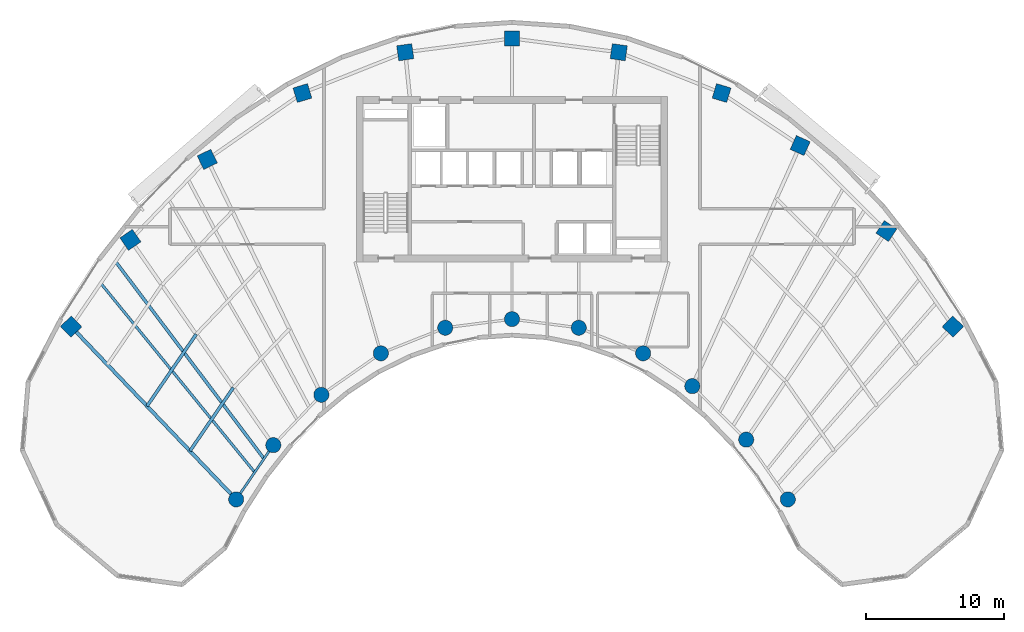
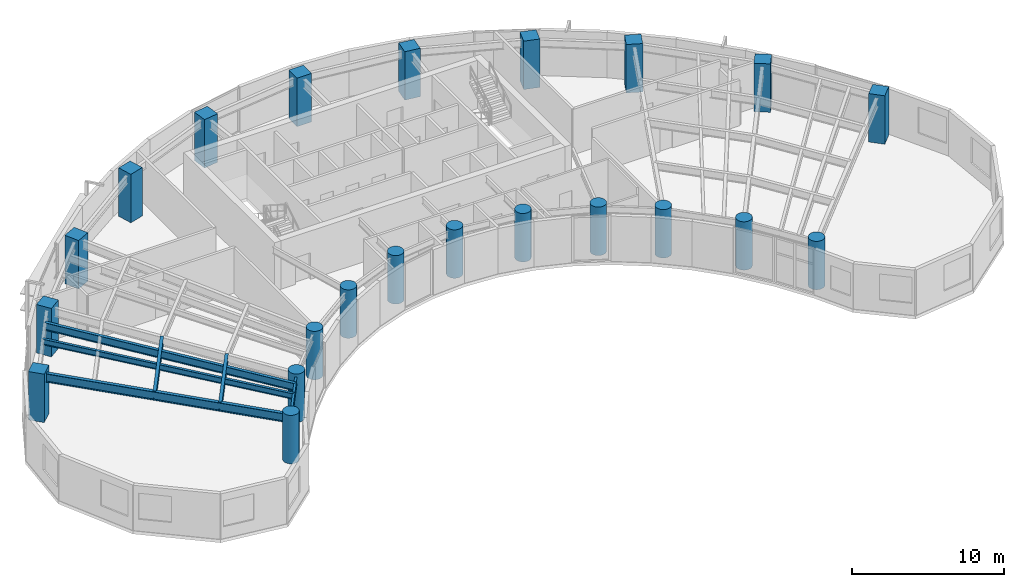
# One storey, part 1 of 13: 22 columns, 6 beams.
"""IFC4 building model written with IfcOpenShell, lengths in metres."""

from ifc_helpers import new_model, si_unit, direction, frame, origin, origin_2d, place, context, subcontext, project, spatial, rectangle, circle, i_section, extrude, source, transform, mapped, material, material_profile, profile_set, type_object, type_shapes, element, save


model = new_model("IFC4")

# Units and contexts
model_context = context("Model", 3, precision=1e-05, world=origin(), true_north=direction((0.0, 1.0)))
body_context = subcontext(model_context, "Body", "Model", "MODEL_VIEW")
ifc_project = project(units=[si_unit("LENGTHUNIT", "METRE"), si_unit("AREAUNIT", "SQUARE_METRE"), si_unit("VOLUMEUNIT", "CUBIC_METRE"), si_unit("PLANEANGLEUNIT", "RADIAN"), si_unit("MASSUNIT", "GRAM", prefix="KILO")], contexts=[model_context])

# Site, building, storey
site_placement = place(None, origin())
site = spatial("IfcSite", under=ifc_project, at=site_placement, CompositionType="ELEMENT")
building_placement = place(site_placement, origin())
building = spatial("IfcBuilding", under=site, at=building_placement, Name="Breltana Convention Tower", CompositionType="ELEMENT")
storey_placement = place(building_placement, frame((0.0, 0.0, 158.39990234375)))
storey = spatial("IfcBuildingStorey", under=building, at=storey_placement, Name="L38", CompositionType="ELEMENT", Elevation=158.39990234375)

# Columns
ifc_material_1 = material(Name="Concrete C60/75", Category="concrete")
ifc_material_profile_1 = material_profile(ifc_material_1, rectangle(XDim=1.10009765625, YDim=1.10009765625, at=origin_2d()), Name="RC-COL-1100X1100")
ifc_profile_set_1 = profile_set([ifc_material_profile_1], Name="Concrete C60/75")
column_type_1 = type_object("IfcColumnType", Name="COL-RC-1100", PredefinedType="COLUMN", material=ifc_profile_set_1)
shared_shape_1 = source(origin(), body_context, "Body", "SweptSolid", [
    extrude(rectangle(XDim=1.10009765625, YDim=1.10009765625, at=origin_2d()), origin(), (0.0, 0.0, 1.0), 3.900146484375),
])
for number, where, z_axis, x_axis, name in (
    (1, (16.0068359375, 55.494384765625, 0.0), (0.0, 0.0, 1.0), (-0.690756218984, 0.723087716626, 0.0), "L38 Tower Column R01-OUT"),
    (2, (20.310791015625, 61.78857421875, 0.0), (0.0, 0.0, 1.0), (-0.571143442153, 0.820850271661, 0.0), "L38 Tower Column R02-OUT"),
    (3, (25.8876953125, 67.626953125, 0.0), (0.0, 0.0, 1.0), (-0.436173672171, 0.899862504889, 0.0), "L38 Tower Column R03-OUT"),
    (4, (32.791015625, 72.4423828125, 0.0), (0.0, 0.0, 1.0), (-0.288697611798, 0.957420330337, 0.0), "L38 Tower Column R04-OUT"),
    (5, (40.253173828125, 75.404296875, 0.0), (0.0, 0.0, 1.0), (-0.143492621991, 0.98965138682, 0.0), "L38 Tower Column R05-OUT"),
    (6, (48.0, 76.404052734375, 0.0), (0.0, 0.0, 1.0), (0.0, 1.0, 0.0), "L38 Tower Column R06-OUT"),
    (7, (55.746826171875, 75.404296875, 0.0), (0.0, 0.0, 1.0), (0.143492621991, 0.98965138682, 0.0), "L38 Tower Column R07-OUT"),
    (8, (63.208984375, 72.4423828125, 0.0), (0.0, 0.0, 1.0), (0.288697611798, 0.957420330337, 0.0), "L38 Tower Column R08-OUT"),
    (9, (68.910400390625, 68.63330078125, 0.0), (0.0, 0.0, 1.0), (0.409126902895, 0.912477494148, 0.0), "L38 Tower Column R09-OUT"),
    (10, (75.166748046875, 62.43017578125, 0.0), (0.0, 0.0, 1.0), (0.55774510898, 0.830012285095, 0.0), "L38 Tower Column R10-OUT"),
    (11, (79.9931640625, 55.494384765625, 0.0), (0.0, 0.0, 1.0), (0.690756218984, 0.723087716626, 0.0), "L38 Tower Column R11-OUT"),
):
    element("IfcColumn", number, at=place(storey_placement, frame(where, z_axis=z_axis, x_axis=x_axis)), inside=storey, type_object=column_type_1, Name=name, PredefinedType="COLUMN", context=body_context, shape_type="MappedRepresentation", body=[
        mapped(shared_shape_1, transform((0.0, 0.0, 0.0), scale=1.0)),
    ])
ifc_material_2 = material(Name="Concrete C50/60", Category="concrete")
ifc_material_profile_2 = material_profile(ifc_material_2, circle(Radius=0.550048828125, at=origin_2d()), Name="RC-COL-D1100")
ifc_profile_set_2 = profile_set([ifc_material_profile_2], Name="Concrete C50/60")
column_type_2 = type_object("IfcColumnType", Name="COL-RC-D1100", PredefinedType="COLUMN", material=ifc_profile_set_2)
shared_shape_2 = source(origin(), body_context, "Body", "SweptSolid", [
    extrude(circle(Radius=0.550048828125, at=origin_2d()), origin(), (0.0, 0.0, 1.0), 3.900146484375),
])
for number, where, z_axis, x_axis, name in (
    (12, (27.984619140625, 42.95458984375, 0.0), (0.0, 0.0, 1.0), (-0.690756218984, 0.723087716626, 0.0), "L38 Tower Column R01-IN"),
    (13, (30.67724609375, 46.892333984375, 0.0), (0.0, 0.0, 1.0), (-0.571143442153, 0.820850271661, 0.0), "L38 Tower Column R02-IN"),
    (14, (34.166259765625, 50.544921875, 0.0), (0.0, 0.0, 1.0), (-0.436173672171, 0.899862504889, 0.0), "L38 Tower Column R03-IN"),
    (15, (38.485107421875, 53.5576171875, 0.0), (0.0, 0.0, 1.0), (-0.288697611798, 0.957420330337, 0.0), "L38 Tower Column R04-IN"),
    (16, (43.153564453125, 55.41064453125, 0.0), (0.0, 0.0, 1.0), (-0.143492621991, 0.98965138682, 0.0), "L38 Tower Column R05-IN"),
    (17, (48.0, 56.035888671875, 0.0), (0.0, 0.0, 1.0), (0.0, 1.0, 0.0), "L38 Tower Column R06-IN"),
    (18, (52.846435546875, 55.41064453125, 0.0), (0.0, 0.0, 1.0), (0.143492621991, 0.98965138682, 0.0), "L38 Tower Column R07-IN"),
    (19, (57.514892578125, 53.5576171875, 0.0), (0.0, 0.0, 1.0), (0.288697611798, 0.957420330337, 0.0), "L38 Tower Column R08-IN"),
    (20, (61.08203125, 51.174560546875, 0.0), (0.0, 0.0, 1.0), (0.409126902895, 0.912477494148, 0.0), "L38 Tower Column R09-IN"),
    (21, (64.995849609375, 47.293701171875, 0.0), (0.0, 0.0, 1.0), (0.55774510898, 0.830012285095, 0.0), "L38 Tower Column R10-IN"),
    (22, (68.015380859375, 42.95458984375, 0.0), (0.0, 0.0, 1.0), (0.690756218984, 0.723087716626, 0.0), "L38 Tower Column R11-IN"),
):
    element("IfcColumn", number, at=place(storey_placement, frame(where, z_axis=z_axis, x_axis=x_axis)), inside=storey, type_object=column_type_2, Name=name, PredefinedType="COLUMN", context=body_context, shape_type="MappedRepresentation", body=[
        mapped(shared_shape_2, transform((0.0, 0.0, 0.0), scale=1.0)),
    ])

# Beams
ifc_material_3 = material(Name="Steel ASTM A992 Grade 50", Category="steel")
ifc_material_profile_3 = material_profile(ifc_material_3, i_section(OverallWidth=0.25390625, OverallDepth=0.68798828125, WebThickness=0.01318359375, FlangeThickness=0.02099609375, at=origin_2d()), Name="W27X102")
ifc_profile_set_3 = profile_set([ifc_material_profile_3], Name="Steel ASTM A992 Grade 50")
beam_type_1 = type_object("IfcBeamType", Name="BM-RG-W27X102", PredefinedType="USERDEFINED", material=ifc_profile_set_3)
shared_shape_3 = source(origin(), body_context, "Body", "SweptSolid", [
    extrude(i_section(OverallWidth=0.25390625, OverallDepth=0.68798828125, WebThickness=0.01318359375, FlangeThickness=0.02099609375, at=origin_2d()), origin(), (0.0, 0.0, 1.0), 17.341064453125),
])
type_shapes(beam_type_1, [shared_shape_3])
beam_1_placement = place(storey_placement, frame((27.984619140625, 42.95458984375, 3.30615234375), z_axis=(-0.690716462293, 0.723125693581, 0.0), x_axis=(-0.723125693581, -0.690716462293, 0.0)))
element("IfcBeam", 23, at=beam_1_placement, inside=storey, type_object=beam_type_1, Name="L38 Radial Floor Girder R01", ObjectType="GIRDER", PredefinedType="USERDEFINED", context=body_context, shape_type="MappedRepresentation", body=[
    mapped(shared_shape_3, transform((0.0, 0.0, 0.0), scale=1.0)),
])
ifc_material_profile_4 = material_profile(ifc_material_3, i_section(OverallWidth=0.166015625, OverallDepth=0.534912109375, WebThickness=0.01025390625, FlangeThickness=0.0166015625, at=origin_2d()), Name="W21X57")
ifc_profile_set_4 = profile_set([ifc_material_profile_4], Name="Steel ASTM A992 Grade 50")
beam_type_2 = type_object("IfcBeamType", Name="BM-BM-W21X57", PredefinedType="BEAM", material=ifc_profile_set_4)
shared_shape_4 = source(origin(), body_context, "Body", "SweptSolid", [
    extrude(i_section(OverallWidth=0.166015625, OverallDepth=0.534912109375, WebThickness=0.01025390625, FlangeThickness=0.0166015625, at=origin_2d()), origin(), (0.0, 0.0, 1.0), 4.770263671875),
])
beam_2_placement = place(storey_placement, frame((27.984619140625, 42.95458984375, 3.382568359375), z_axis=(0.564452719055, 0.82546540082, 0.0), x_axis=(-0.82546540082, 0.564452719055, 0.0)))
element("IfcBeam", 24, at=beam_2_placement, inside=storey, type_object=beam_type_2, Name="L38 Inner Ring Beam 01", PredefinedType="BEAM", context=body_context, shape_type="MappedRepresentation", body=[
    mapped(shared_shape_4, transform((0.0, 0.0, 0.0), scale=1.0)),
])
ifc_material_profile_5 = material_profile(ifc_material_3, i_section(OverallWidth=0.22802734375, OverallDepth=0.60791015625, WebThickness=0.01123046875, FlangeThickness=0.017333984375, at=origin_2d()), Name="W24X76")
ifc_profile_set_5 = profile_set([ifc_material_profile_5], Name="Steel ASTM A992 Grade 50")
beam_type_3 = type_object("IfcBeamType", Name="BM-JSG-02", PredefinedType="JOIST", material=ifc_profile_set_5)
shared_shape_5 = source(origin(), body_context, "Body", "SweptSolid", [
    extrude(i_section(OverallWidth=0.22802734375, OverallDepth=0.60791015625, WebThickness=0.01123046875, FlangeThickness=0.017333984375, at=origin_2d()), origin(), (0.0, 0.0, 1.0), 5.569580078125),
])
beam_3_placement = place(storey_placement, frame((24.630615234375, 46.4658203125, 3.34619140625), z_axis=(0.564493760458, 0.825437335237, 0.0), x_axis=(-0.825437335237, 0.564493760458, 0.0)))
element("IfcBeam", 25, at=beam_3_placement, inside=storey, type_object=beam_type_3, Name="L38 Composite Floor Joist 01.1", PredefinedType="JOIST", context=body_context, shape_type="MappedRepresentation", body=[
    mapped(shared_shape_5, transform((0.0, 0.0, 0.0), scale=1.0)),
])
shared_shape_6 = source(origin(), body_context, "Body", "SweptSolid", [
    extrude(i_section(OverallWidth=0.22802734375, OverallDepth=0.60791015625, WebThickness=0.01123046875, FlangeThickness=0.017333984375, at=origin_2d()), origin(), (0.0, 0.0, 1.0), 6.311767578125),
])
beam_4_placement = place(storey_placement, frame((21.5166015625, 49.72607421875, 3.34619140625), z_axis=(0.564453712577, 0.825464721449, 0.0), x_axis=(-0.825464721449, 0.564453712577, 0.0)))
element("IfcBeam", 26, at=beam_4_placement, inside=storey, type_object=beam_type_3, Name="L38 Composite Floor Joist 01.2", PredefinedType="JOIST", context=body_context, shape_type="MappedRepresentation", body=[
    mapped(shared_shape_6, transform((0.0, 0.0, 0.0), scale=1.0)),
])
ifc_material_profile_6 = material_profile(ifc_material_3, i_section(OverallWidth=0.19091796875, OverallDepth=0.4599609375, WebThickness=0.010009765625, FlangeThickness=0.01611328125, at=origin_2d()), Name="W18X55")
ifc_profile_set_6 = profile_set([ifc_material_profile_6], Name="Steel ASTM A992 Grade 50")
beam_type_4 = type_object("IfcBeamType", Name="BM-JSG-07", PredefinedType="JOIST", material=ifc_profile_set_6)
shared_shape_7 = source(origin(), body_context, "Body", "SweptSolid", [
    extrude(i_section(OverallWidth=0.19091796875, OverallDepth=0.4599609375, WebThickness=0.010009765625, FlangeThickness=0.01611328125, at=origin_2d()), origin(), (0.0, 0.0, 1.0), 17.691650390625),
])
beam_5_placement = place(storey_placement, frame((29.330810546875, 44.923583984375, 3.420166015625), z_axis=(-0.631476958478, 0.775394642044, 0.0), x_axis=(-0.775394642044, -0.631476958478, 0.0)))
element("IfcBeam", 27, at=beam_5_placement, inside=storey, type_object=beam_type_4, Name="L38 Mid-Bay Radial Trimmer 01", PredefinedType="JOIST", context=body_context, shape_type="MappedRepresentation", body=[
    mapped(shared_shape_7, transform((0.0, 0.0, 0.0), scale=1.0)),
])
shared_shape_8 = source(origin(), body_context, "Body", "SweptSolid", [
    extrude(i_section(OverallWidth=0.22802734375, OverallDepth=0.60791015625, WebThickness=0.01123046875, FlangeThickness=0.017333984375, at=origin_2d()), origin(), (0.0, 0.0, 1.0), 17.9072265625),
])
beam_6_placement = place(storey_placement, frame((30.00390625, 45.907958984375, 3.34619140625), z_axis=(-0.601382105028, 0.798961553363, 0.0), x_axis=(-0.798961553363, -0.601382105028, 0.0)))
element("IfcBeam", 28, at=beam_6_placement, inside=storey, type_object=beam_type_3, Name="L38 Quarter-Bay Radial Trimmer 01", PredefinedType="JOIST", context=body_context, shape_type="MappedRepresentation", body=[
    mapped(shared_shape_8, transform((0.0, 0.0, 0.0), scale=1.0)),
])

save(model, "model.ifc")
